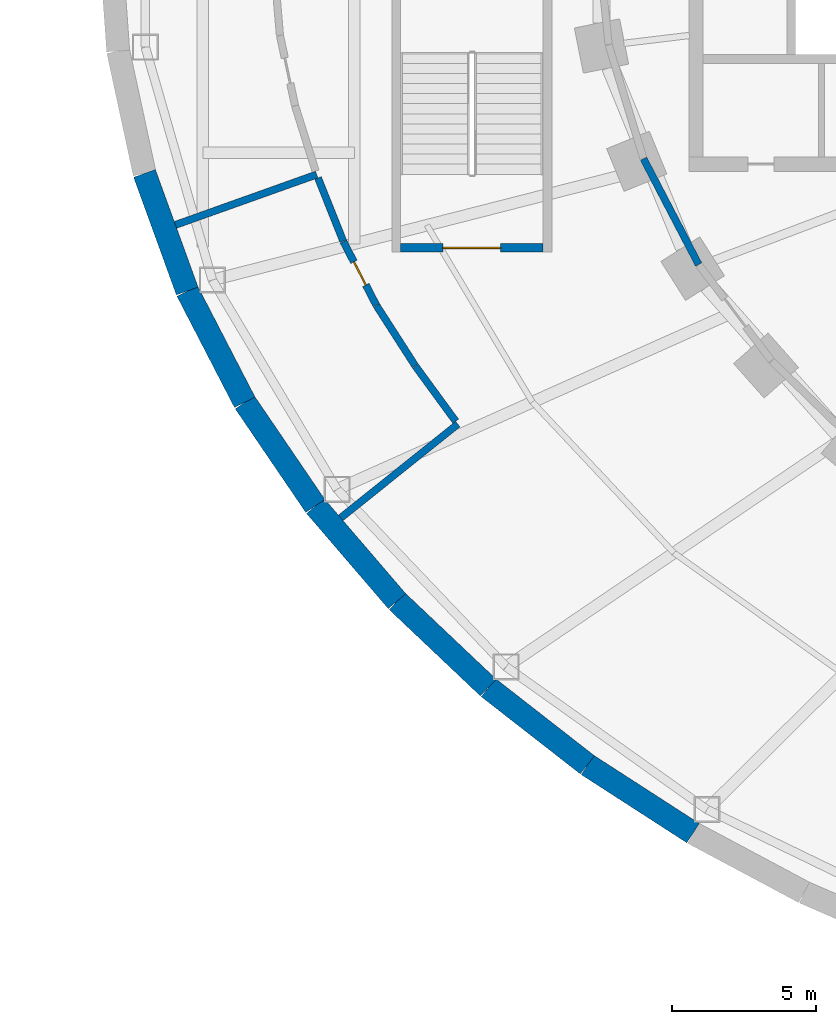
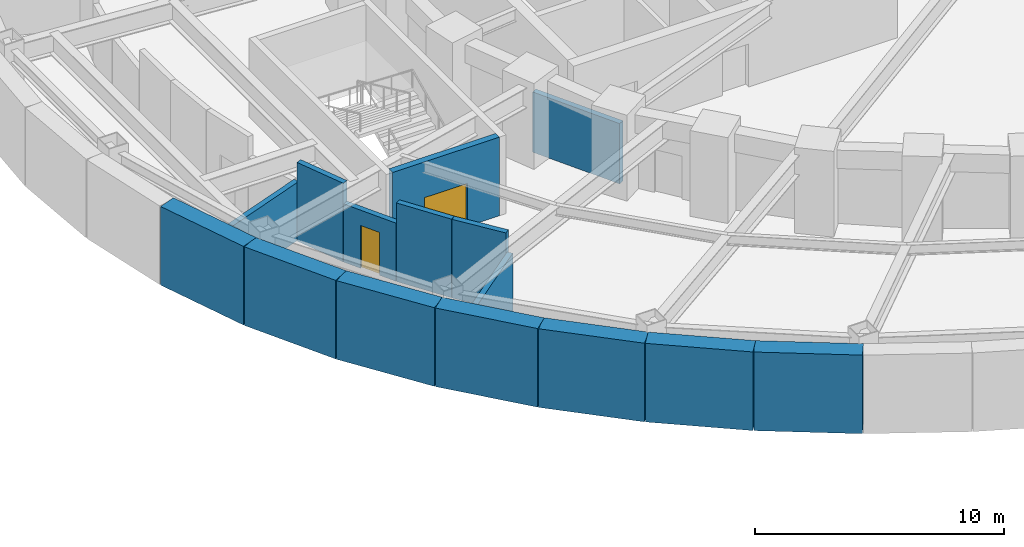
# One storey, part 13 of 32: 15 walls, 2 doors, 2 openings.
"""IFC4 building model written with IfcOpenShell, lengths in metres."""

from ifc_helpers import new_model, si_unit, direction, frame, frame_2d, origin, place, context, subcontext, project, spatial, rectangle, extrude, material, layer, layer_set, type_object, element, fill, save


model = new_model("IFC4")

# Units and contexts
model_context = context("Model", 3, precision=1e-05, world=origin(), true_north=direction((0.0, 1.0)))
body_context = subcontext(model_context, "Body", "Model", "MODEL_VIEW")
ifc_project = project(units=[si_unit("LENGTHUNIT", "METRE"), si_unit("AREAUNIT", "SQUARE_METRE"), si_unit("VOLUMEUNIT", "CUBIC_METRE"), si_unit("PLANEANGLEUNIT", "RADIAN"), si_unit("MASSUNIT", "GRAM", prefix="KILO")], contexts=[model_context])

# Site, building, storey
site_placement = place(None, origin())
site = spatial("IfcSite", under=ifc_project, at=site_placement, CompositionType="ELEMENT")
building_placement = place(site_placement, origin())
building = spatial("IfcBuilding", under=site, at=building_placement, Name="Noorbagh Ring Tower", CompositionType="ELEMENT")
storey_placement = place(building_placement, frame((0.0, 0.0, -4.199951171875)))
storey = spatial("IfcBuildingStorey", under=building, at=storey_placement, Name="B1", CompositionType="ELEMENT", Elevation=-4.199951171875)

# Wall, opening, door
ifc_material_1 = material(Name="Concrete C60/75", Category="concrete")
ifc_layer_1 = layer(ifc_material_1, 0.300048828125)
ifc_layer_set_1 = layer_set([ifc_layer_1], Name="Concrete C60/75")
wall_type_1 = type_object("IfcWallType", Name="GND-STAIR-WALL", PredefinedType="SHEAR", material=ifc_layer_set_1)
wall_1_placement = place(storey_placement, frame((-41.5, -11.14990234375, 0.0), z_axis=(0.0, 0.0, 1.0), x_axis=(1.0, 0.0, 0.0)))
wall_1 = element("IfcWall", 1, at=wall_1_placement, inside=storey, type_object=wall_type_1, Name="Exit stair ST-P1 wall", PredefinedType="SHEAR", context=body_context, shape_type="SweptSolid", body=[
    extrude(rectangle(XDim=4.949951171875, YDim=0.300048828125, at=frame_2d((2.47509765625, 0.0))), origin(), (0.0, 0.0, 1.0), 3.849853515625),
])
opening_1_placement = place(wall_1_placement, frame((1.47509765625, 0.0, 0.0)))
opening_1 = element("IfcOpeningElement", 2, at=opening_1_placement, cuts=wall_1, Name="Opening GD17", PredefinedType="OPENING", context=body_context, shape_type="SweptSolid", body=[
    extrude(rectangle(XDim=2.0, YDim=2.10009765625, at=frame_2d((1.0, 1.050048828125))), frame((0.0, 0.16015625, 0.0), z_axis=(0.0, -1.0, 0.0), x_axis=(1.0, 0.0, 0.0)), (0.0, 0.0, 1.0), 0.320068359375),
])
ifc_material_2 = material(Name="Steel", Category="steel")
door_type_1 = type_object("IfcDoorType", Name="GND-STAIR-DOOR", OperationType="DOUBLE_DOOR_SINGLE_SWING", PredefinedType="DOOR", material=ifc_material_2)
door_1_placement = place(opening_1_placement, origin())
door_1 = element("IfcDoor", 3, at=door_1_placement, inside=storey, type_object=door_type_1, Name="Exit stair ST-P1 door", OperationType="DOUBLE_DOOR_SINGLE_SWING", OverallHeight=2.10009765625, OverallWidth=2.0, PredefinedType="DOOR", context=body_context, shape_type="SweptSolid", body=[
    extrude(rectangle(XDim=2.0, YDim=2.10009765625, at=frame_2d((1.0, 1.050048828125))), frame((0.0, 0.02490234375, 0.0), z_axis=(0.0, -1.0, 0.0), x_axis=(1.0, 0.0, 0.0)), (0.0, 0.0, 1.0), 0.050048828125),
])
fill(opening_1, door_1)

# Walls
ifc_material_3 = material(Name="Concrete C40/50", Category="concrete")
ifc_layer_2 = layer(ifc_material_3, 0.25)
ifc_layer_set_2 = layer_set([ifc_layer_2], Name="Concrete C40/50")
wall_type_2 = type_object("IfcWallType", Name="GND-WALL-250", PredefinedType="SOLIDWALL", material=ifc_layer_set_2)
wall_2_placement = place(storey_placement, frame((-44.404052734375, -8.607421875, 0.0), z_axis=(0.0, 0.0, 1.0), x_axis=(-0.941900083752, -0.335893185742, 0.0)))
element("IfcWall", 4, at=wall_2_placement, inside=storey, type_object=wall_type_2, Name="Generator hall", PredefinedType="SOLIDWALL", context=body_context, shape_type="SweptSolid", body=[
    extrude(rectangle(XDim=5.19970703125, YDim=0.25, at=frame_2d((2.599853515625, 0.0))), origin(), (0.0, 0.0, 1.0), 2.849853515625),
])
wall_3_placement = place(storey_placement, frame((-44.35791015625, -8.723388671875, 0.0), z_axis=(0.0, 0.0, 1.0), x_axis=(0.369983765713, -0.929038219402, 0.0)))
element("IfcWall", 5, at=wall_3_placement, inside=storey, type_object=wall_type_2, Name="Main switch room", PredefinedType="SOLIDWALL", context=body_context, shape_type="SweptSolid", body=[
    extrude(rectangle(XDim=2.3642578125, YDim=0.25, at=frame_2d((1.18212890625, 0.0))), origin(), (0.0, 0.0, 1.0), 3.849853515625),
])

# Wall, opening, door
wall_4_placement = place(storey_placement, frame((-43.477294921875, -10.9326171875, 0.0), z_axis=(0.0, 0.0, 1.0), x_axis=(0.459193151058, -0.888336450913, 0.0)))
wall_4 = element("IfcWall", 6, at=wall_4_placement, inside=storey, type_object=wall_type_2, Name="Main switch room", PredefinedType="SOLIDWALL", context=body_context, shape_type="SweptSolid", body=[
    extrude(rectangle(XDim=2.486083984375, YDim=0.25, at=frame_2d((1.2431640625, 0.0))), origin(), (0.0, 0.0, 1.0), 2.849853515625),
])
opening_2_placement = place(wall_4_placement, frame((0.79296875, 0.0, 0.0)))
opening_2 = element("IfcOpeningElement", 7, at=opening_2_placement, cuts=wall_4, Name="Opening GD2", PredefinedType="OPENING", context=body_context, shape_type="SweptSolid", body=[
    extrude(rectangle(XDim=0.89990234375, YDim=2.10009765625, at=frame_2d((0.449951171875, 1.050048828125))), frame((0.0, 0.135009765625, 0.0), z_axis=(0.0, -1.0, 0.0), x_axis=(1.0, 0.0, 0.0)), (0.0, 0.0, 1.0), 0.27001953125),
])
ifc_material_4 = material(Name="Steel", Category="steel")
door_type_2 = type_object("IfcDoorType", Name="GND-DOOR-SVC120", OperationType="SINGLE_SWING_LEFT", PredefinedType="DOOR", material=ifc_material_4)
door_2_placement = place(opening_2_placement, origin())
door_2 = element("IfcDoor", 8, at=door_2_placement, inside=storey, type_object=door_type_2, Name="Main switch room door", OperationType="SINGLE_SWING_LEFT", OverallHeight=2.10009765625, OverallWidth=0.89990234375, PredefinedType="DOOR", context=body_context, shape_type="SweptSolid", body=[
    extrude(rectangle(XDim=0.89990234375, YDim=2.10009765625, at=frame_2d((0.449951171875, 1.050048828125))), frame((0.0, 0.02490234375, 0.0), z_axis=(0.0, -1.0, 0.0), x_axis=(1.0, 0.0, 0.0)), (0.0, 0.0, 1.0), 0.050048828125),
])
fill(opening_2, door_2)

# Walls
wall_5_placement = place(storey_placement, frame((-42.32861328125, -13.153076171875, 0.0), z_axis=(0.0, 0.0, 1.0), x_axis=(0.540528959182, -0.841325409271, 0.0)))
element("IfcWall", 9, at=wall_5_placement, inside=storey, type_object=wall_type_2, Name="Main switch room", PredefinedType="SOLIDWALL", context=body_context, shape_type="SweptSolid", body=[
    extrude(rectangle(XDim=2.48291015625, YDim=0.25, at=frame_2d((1.241455078125, 0.0))), origin(), (0.0, 0.0, 1.0), 3.849853515625),
])
wall_6_placement = place(storey_placement, frame((-40.978515625, -15.25341796875, 0.0), z_axis=(0.0, 0.0, 1.0), x_axis=(0.590109768625, -0.807323021457, 0.0)))
element("IfcWall", 10, at=wall_6_placement, inside=storey, type_object=wall_type_2, Name="Main switch room", PredefinedType="SOLIDWALL", context=body_context, shape_type="SweptSolid", body=[
    extrude(rectangle(XDim=2.36474609375, YDim=0.25, at=frame_2d((1.182373046875, 0.0))), origin(), (0.0, 0.0, 1.0), 3.849853515625),
])
wall_7_placement = place(storey_placement, frame((-39.50927734375, -17.263427734375, 0.0), z_axis=(0.0, 0.0, 1.0), x_axis=(-0.780671812882, -0.624941213692, 0.0)))
element("IfcWall", 11, at=wall_7_placement, inside=storey, type_object=wall_type_2, Name="Main switch room", PredefinedType="SOLIDWALL", context=body_context, shape_type="SweptSolid", body=[
    extrude(rectangle(XDim=5.2001953125, YDim=0.25, at=frame_2d((2.60009765625, 0.0))), origin(), (0.0, 0.0, 1.0), 2.849853515625),
])
ifc_material_5 = material(Name="Concrete C40/50", Category="concrete")
ifc_layer_3 = layer(ifc_material_5, 0.25)
ifc_layer_set_3 = layer_set([ifc_layer_3], Name="Concrete C40/50")
wall_type_3 = type_object("IfcWallType", Name="GND-WALL-RING", PredefinedType="SOLIDWALL", material=ifc_layer_set_3)
wall_8_placement = place(storey_placement, frame((-33.068603515625, -8.062255859375, 0.0), z_axis=(0.0, 0.0, 1.0), x_axis=(0.462265314279, -0.886741664305, 0.0)))
element("IfcWall", 12, at=wall_8_placement, inside=storey, type_object=wall_type_3, Name="Tower basement fire wall", PredefinedType="SOLIDWALL", context=body_context, shape_type="SweptSolid", body=[
    extrude(rectangle(XDim=4.134765625, YDim=0.25, at=frame_2d((2.0673828125, 0.0))), origin(), (0.0, 0.0, 1.0), 2.949951171875),
])
ifc_material_6 = material(Name="Concrete C40/50", Category="concrete")
ifc_layer_4 = layer(ifc_material_6, 0.800048828125)
ifc_layer_set_4 = layer_set([ifc_layer_4], Name="Concrete C40/50")
wall_type_4 = type_object("IfcWallType", Name="STR-RETAINING-WALL", PredefinedType="SOLIDWALL", material=ifc_layer_set_4)
wall_9_placement = place(storey_placement, frame((-50.3759765625, -8.56787109375, 0.0), z_axis=(0.0, 0.0, 1.0), x_axis=(0.341286990045, -0.939959142956, 0.0)))
element("IfcWall", 13, at=wall_9_placement, inside=storey, type_object=wall_type_4, Name="B1/retwall/36", PredefinedType="SOLIDWALL", context=body_context, shape_type="SweptSolid", body=[
    extrude(rectangle(XDim=4.341552734375, YDim=0.800048828125, at=frame_2d((2.1708984375, 0.0))), origin(), (0.0, 0.0, 1.0), 3.849853515625),
])
wall_10_placement = place(storey_placement, frame((-48.894287109375, -12.648681640625, 0.0), z_axis=(0.0, 0.0, 1.0), x_axis=(0.459242531468, -0.888310923771, 0.0)))
element("IfcWall", 14, at=wall_10_placement, inside=storey, type_object=wall_type_4, Name="B1/retwall/37", PredefinedType="SOLIDWALL", context=body_context, shape_type="SweptSolid", body=[
    extrude(rectangle(XDim=4.344970703125, YDim=0.800048828125, at=frame_2d((2.17236328125, 0.0))), origin(), (0.0, 0.0, 1.0), 3.849853515625),
])
wall_11_placement = place(storey_placement, frame((-46.89892578125, -16.50830078125, 0.0), z_axis=(0.0, 0.0, 1.0), x_axis=(0.562667738859, -0.82668314102, 0.0)))
element("IfcWall", 15, at=wall_11_placement, inside=storey, type_object=wall_type_4, Name="B1/retwall/38", PredefinedType="SOLIDWALL", context=body_context, shape_type="SweptSolid", body=[
    extrude(rectangle(XDim=4.348876953125, YDim=0.800048828125, at=frame_2d((2.17431640625, 0.0))), origin(), (0.0, 0.0, 1.0), 3.849853515625),
])
wall_12_placement = place(storey_placement, frame((-44.451904296875, -20.103515625, 0.0), z_axis=(0.0, 0.0, 1.0), x_axis=(0.651387059497, -0.758745608699, 0.0)))
element("IfcWall", 16, at=wall_12_placement, inside=storey, type_object=wall_type_4, Name="B1/retwall/39", PredefinedType="SOLIDWALL", context=body_context, shape_type="SweptSolid", body=[
    extrude(rectangle(XDim=4.3525390625, YDim=0.800048828125, at=frame_2d((2.17626953125, 0.0))), origin(), (0.0, 0.0, 1.0), 3.849853515625),
])
wall_13_placement = place(storey_placement, frame((-41.61669921875, -23.406005859375, 0.0), z_axis=(0.0, 0.0, 1.0), x_axis=(0.72620446032, -0.687478786444, 0.0)))
element("IfcWall", 17, at=wall_13_placement, inside=storey, type_object=wall_type_4, Name="B1/retwall/40", PredefinedType="SOLIDWALL", context=body_context, shape_type="SweptSolid", body=[
    extrude(rectangle(XDim=4.356201171875, YDim=0.800048828125, at=frame_2d((2.17822265625, 0.0))), origin(), (0.0, 0.0, 1.0), 3.849853515625),
])
wall_14_placement = place(storey_placement, frame((-38.453125, -26.40087890625, 0.0), z_axis=(0.0, 0.0, 1.0), x_axis=(0.788491985196, -0.615045030288, 0.0)))
element("IfcWall", 18, at=wall_14_placement, inside=storey, type_object=wall_type_4, Name="B1/retwall/41", PredefinedType="SOLIDWALL", context=body_context, shape_type="SweptSolid", body=[
    extrude(rectangle(XDim=4.359375, YDim=0.800048828125, at=frame_2d((2.1796875, 0.0))), origin(), (0.0, 0.0, 1.0), 3.849853515625),
])
wall_15_placement = place(storey_placement, frame((-35.015869140625, -29.08203125, 0.0), z_axis=(0.0, 0.0, 1.0), x_axis=(0.840047348843, -0.542513088969, 0.0)))
element("IfcWall", 19, at=wall_15_placement, inside=storey, type_object=wall_type_4, Name="B1/retwall/42", PredefinedType="SOLIDWALL", context=body_context, shape_type="SweptSolid", body=[
    extrude(rectangle(XDim=4.362060546875, YDim=0.800048828125, at=frame_2d((2.18115234375, 0.0))), origin(), (0.0, 0.0, 1.0), 3.849853515625),
])

save(model, "model.ifc")
